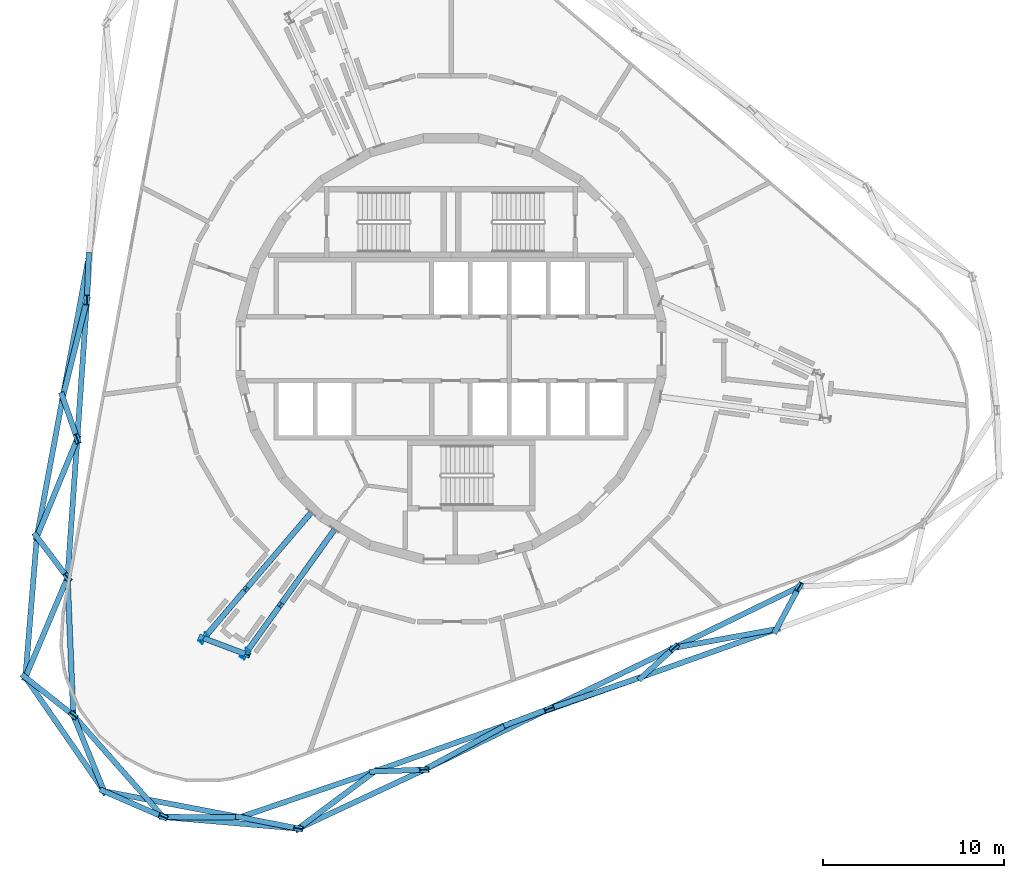
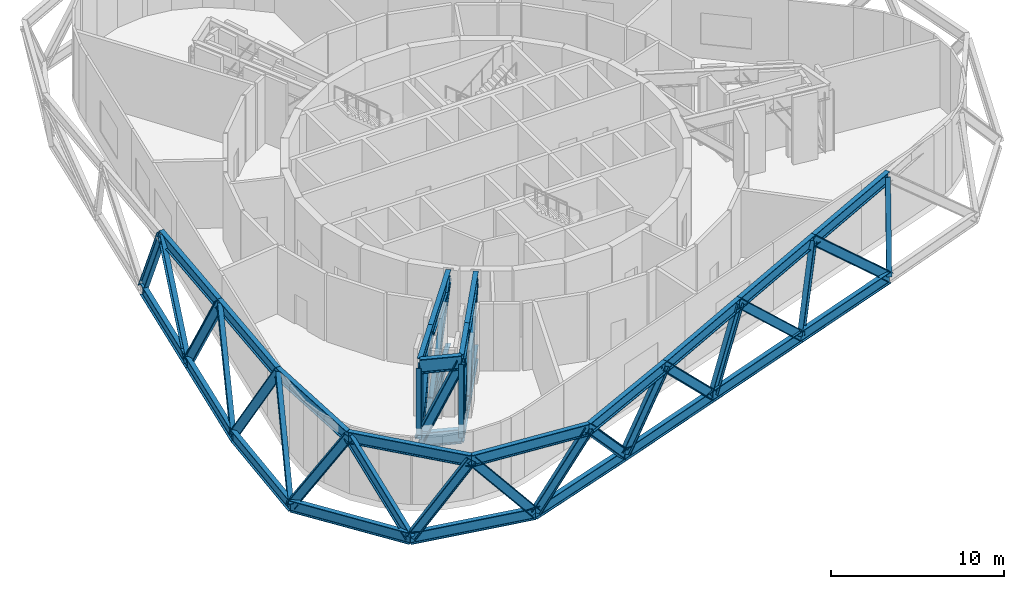
# One storey, part 1 of 12: 54 members.
"""IFC4 building model written with IfcOpenShell, lengths in metres."""

from ifc_helpers import new_model, si_unit, direction, frame, origin, origin_2d, place, context, subcontext, project, spatial, i_section, extrude, material, material_profile, profile_set, type_object, element, save


model = new_model("IFC4")

# Units and contexts
model_context = context("Model", 3, precision=1e-05, world=origin(), true_north=direction((0.0, 1.0)))
body_context = subcontext(model_context, "Body", "Model", "MODEL_VIEW")
ifc_project = project(units=[si_unit("LENGTHUNIT", "METRE"), si_unit("AREAUNIT", "SQUARE_METRE"), si_unit("VOLUMEUNIT", "CUBIC_METRE"), si_unit("PLANEANGLEUNIT", "RADIAN"), si_unit("MASSUNIT", "GRAM", prefix="KILO")], contexts=[model_context])

# Site, building, storey
site_placement = place(None, origin())
site = spatial("IfcSite", under=ifc_project, at=site_placement, CompositionType="ELEMENT")
building_placement = place(site_placement, origin())
building = spatial("IfcBuilding", under=site, at=building_placement, Name="Spindle Arch Residences", CompositionType="ELEMENT")
storey_placement = place(building_placement, frame((0.0, 0.0, 183.199951171875)))
storey = spatial("IfcBuildingStorey", under=building, at=storey_placement, Name="L46", CompositionType="ELEMENT", Elevation=183.199951171875)

# Members
ifc_material_1 = material(Name="Steel S460ML, intumescent coating R 240", Category="steel")
ifc_material_profile_1 = material_profile(ifc_material_1, i_section(OverallWidth=0.302978515625, OverallDepth=0.81396484375, WebThickness=0.02099609375, FlangeThickness=0.0400390625, FilletRadius=0.030029296875, at=origin_2d()), Name="HEM 800")
ifc_profile_set_1 = profile_set([ifc_material_profile_1], Name="Steel S460ML, intumescent coating R 240")
member_type_1 = type_object("IfcMemberType", Name="Belt truss chord HEM 800", PredefinedType="CHORD", material=ifc_profile_set_1)
for number, where, z_axis, x_axis, name in (
    (1, (10.592041015625, -18.1376953125, -0.85693359375), (0.942639442898, 0.333812643101, 0.0), (-0.333812643101, 0.942639442898, 0.0), "Belt truss bottom chord L46.1"),
    (2, (-20.048583984375, 5.048095703125, -0.85693359375), (-0.182262767492, -0.983249858167, 0.0), (0.983249858167, -0.182262767492, 0.0), "Belt truss bottom chord L46.15"),
):
    element("IfcMember", number, at=place(storey_placement, frame(where, z_axis=z_axis, x_axis=x_axis)), inside=storey, type_object=member_type_1, Name=name, PredefinedType="CHORD", context=body_context, shape_type="SweptSolid", body=[
        extrude(i_section(OverallWidth=0.302978515625, OverallDepth=0.81396484375, WebThickness=0.02099609375, FlangeThickness=0.0400390625, FilletRadius=0.030029296875, at=origin_2d()), origin(), (0.0, 0.0, 1.0), 7.860107421875),
    ])
member_1_placement = place(storey_placement, frame((-21.481201171875, -2.680419921875, -0.85693359375), z_axis=(-0.182238304251, -0.983254392547, 0.0), x_axis=(0.983254392547, -0.182238304251, 0.0)))
element("IfcMember", 3, at=member_1_placement, inside=storey, type_object=member_type_1, Name="Belt truss bottom chord L46.16", PredefinedType="CHORD", context=body_context, shape_type="SweptSolid", body=[
    extrude(i_section(OverallWidth=0.302978515625, OverallDepth=0.81396484375, WebThickness=0.02099609375, FlangeThickness=0.0400390625, FilletRadius=0.030029296875, at=origin_2d()), origin(), (0.0, 0.0, 1.0), 7.85986328125),
])
member_2_placement = place(storey_placement, frame((-22.91357421875, -10.40869140625, -0.85693359375), z_axis=(-0.081373439166, -0.996683682719, 0.0), x_axis=(0.996683682719, -0.081373439166, 0.0)))
element("IfcMember", 4, at=member_2_placement, inside=storey, type_object=member_type_1, Name="Belt truss bottom chord L46.17", PredefinedType="CHORD", context=body_context, shape_type="SweptSolid", body=[
    extrude(i_section(OverallWidth=0.302978515625, OverallDepth=0.81396484375, WebThickness=0.02099609375, FlangeThickness=0.0400390625, FilletRadius=0.030029296875, at=origin_2d()), origin(), (0.0, 0.0, 1.0), 7.794677734375),
])
member_3_placement = place(storey_placement, frame((-23.5478515625, -18.177490234375, -0.85693359375), z_axis=(0.56837972253, -0.822766364782, 0.0), x_axis=(0.822766364782, 0.56837972253, 0.0)))
element("IfcMember", 5, at=member_3_placement, inside=storey, type_object=member_type_1, Name="Belt truss bottom chord L46.18", PredefinedType="CHORD", context=body_context, shape_type="SweptSolid", body=[
    extrude(i_section(OverallWidth=0.302978515625, OverallDepth=0.81396484375, WebThickness=0.02099609375, FlangeThickness=0.0400390625, FilletRadius=0.030029296875, at=origin_2d()), origin(), (0.0, 0.0, 1.0), 7.663330078125),
])
member_4_placement = place(storey_placement, frame((-19.192138671875, -24.482666015625, -0.85693359375), z_axis=(0.982375634754, -0.186917394166, 0.0), x_axis=(0.186917394166, 0.982375634754, 0.0)))
element("IfcMember", 6, at=member_4_placement, inside=storey, type_object=member_type_1, Name="Belt truss bottom chord L46.19", PredefinedType="CHORD", context=body_context, shape_type="SweptSolid", body=[
    extrude(i_section(OverallWidth=0.302978515625, OverallDepth=0.81396484375, WebThickness=0.02099609375, FlangeThickness=0.0400390625, FilletRadius=0.030029296875, at=origin_2d()), origin(), (0.0, 0.0, 1.0), 7.6630859375),
])
member_5_placement = place(storey_placement, frame((-11.6640625, -25.9150390625, -0.85693359375), z_axis=(0.946726327311, 0.32203922304, 0.0), x_axis=(-0.32203922304, 0.946726327311, 0.0)))
element("IfcMember", 7, at=member_5_placement, inside=storey, type_object=member_type_1, Name="Belt truss bottom chord L46.20", PredefinedType="CHORD", context=body_context, shape_type="SweptSolid", body=[
    extrude(i_section(OverallWidth=0.302978515625, OverallDepth=0.81396484375, WebThickness=0.02099609375, FlangeThickness=0.0400390625, FilletRadius=0.030029296875, at=origin_2d()), origin(), (0.0, 0.0, 1.0), 7.856201171875),
])
member_6_placement = place(storey_placement, frame((-4.226318359375, -23.385009765625, -0.85693359375), z_axis=(0.942639442898, 0.333812643101, 0.0), x_axis=(-0.333812643101, 0.942639442898, 0.0)))
element("IfcMember", 8, at=member_6_placement, inside=storey, type_object=member_type_1, Name="Belt truss bottom chord L46.21", PredefinedType="CHORD", context=body_context, shape_type="SweptSolid", body=[
    extrude(i_section(OverallWidth=0.302978515625, OverallDepth=0.81396484375, WebThickness=0.02099609375, FlangeThickness=0.0400390625, FilletRadius=0.030029296875, at=origin_2d()), origin(), (0.0, 0.0, 1.0), 7.860107421875),
])
member_7_placement = place(storey_placement, frame((3.182861328125, -20.76123046875, -0.85693359375), z_axis=(0.942649216405, 0.33378504282, 0.0), x_axis=(-0.33378504282, 0.942649216405, 0.0)))
element("IfcMember", 9, at=member_7_placement, inside=storey, type_object=member_type_1, Name="Belt truss bottom chord L46.22", PredefinedType="CHORD", context=body_context, shape_type="SweptSolid", body=[
    extrude(i_section(OverallWidth=0.302978515625, OverallDepth=0.81396484375, WebThickness=0.02099609375, FlangeThickness=0.0400390625, FilletRadius=0.030029296875, at=origin_2d()), origin(), (0.0, 0.0, 1.0), 7.85986328125),
])
for number, where, z_axis, x_axis, name in (
    (10, (12.347900390625, -16.5419921875, 4.343017578125), (0.898794365999, 0.438370491307, 0.0), (-0.438370491307, 0.898794365999, 0.0), "Belt truss top chord L46.1"),
    (11, (-20.141845703125, 2.69384765625, 4.343017578125), (-0.069778919569, -0.997562480441, 0.0), (0.997562480441, -0.069778919569, 0.0), "Belt truss top chord L46.15"),
):
    element("IfcMember", number, at=place(storey_placement, frame(where, z_axis=z_axis, x_axis=x_axis)), inside=storey, type_object=member_type_1, Name=name, PredefinedType="CHORD", context=body_context, shape_type="SweptSolid", body=[
        extrude(i_section(OverallWidth=0.302978515625, OverallDepth=0.81396484375, WebThickness=0.02099609375, FlangeThickness=0.0400390625, FilletRadius=0.030029296875, at=origin_2d()), origin(), (0.0, 0.0, 1.0), 7.69384765625),
    ])
member_8_placement = place(storey_placement, frame((-20.6787109375, -4.981201171875, 4.343017578125), z_axis=(-0.069749549772, -0.997564534407, 0.0), x_axis=(0.997564534407, -0.069749549772, 0.0)))
element("IfcMember", 12, at=member_8_placement, inside=storey, type_object=member_type_1, Name="Belt truss top chord L46.16", PredefinedType="CHORD", context=body_context, shape_type="SweptSolid", body=[
    extrude(i_section(OverallWidth=0.302978515625, OverallDepth=0.81396484375, WebThickness=0.02099609375, FlangeThickness=0.0400390625, FilletRadius=0.030029296875, at=origin_2d()), origin(), (0.0, 0.0, 1.0), 7.693603515625),
])
member_9_placement = place(storey_placement, frame((-21.21533203125, -12.656005859375, 4.343017578125), z_axis=(0.041470703136, -0.99913972035, 0.0), x_axis=(0.99913972035, 0.041470703136, 0.0)))
element("IfcMember", 13, at=member_9_placement, inside=storey, type_object=member_type_1, Name="Belt truss top chord L46.17", PredefinedType="CHORD", context=body_context, shape_type="SweptSolid", body=[
    extrude(i_section(OverallWidth=0.302978515625, OverallDepth=0.81396484375, WebThickness=0.02099609375, FlangeThickness=0.0400390625, FilletRadius=0.030029296875, at=origin_2d()), origin(), (0.0, 0.0, 1.0), 7.623779296875),
])
member_10_placement = place(storey_placement, frame((-20.899169921875, -20.273193359375, 4.343017578125), z_axis=(0.661973185379, -0.749527519067, 0.0), x_axis=(0.749527519067, 0.661973185379, 0.0)))
element("IfcMember", 14, at=member_10_placement, inside=storey, type_object=member_type_1, Name="Belt truss top chord L46.18", PredefinedType="CHORD", context=body_context, shape_type="SweptSolid", body=[
    extrude(i_section(OverallWidth=0.302978515625, OverallDepth=0.81396484375, WebThickness=0.02099609375, FlangeThickness=0.0400390625, FilletRadius=0.030029296875, at=origin_2d()), origin(), (0.0, 0.0, 1.0), 7.50927734375),
])
member_11_placement = place(storey_placement, frame((-15.92822265625, -25.901611328125, 4.343017578125), z_axis=(0.996343091308, -0.08544263808, 0.0), x_axis=(0.08544263808, 0.996343091308, 0.0)))
element("IfcMember", 15, at=member_11_placement, inside=storey, type_object=member_type_1, Name="Belt truss top chord L46.19", PredefinedType="CHORD", context=body_context, shape_type="SweptSolid", body=[
    extrude(i_section(OverallWidth=0.302978515625, OverallDepth=0.81396484375, WebThickness=0.02099609375, FlangeThickness=0.0400390625, FilletRadius=0.030029296875, at=origin_2d()), origin(), (0.0, 0.0, 1.0), 7.509033203125),
])
member_12_placement = place(storey_placement, frame((-8.446533203125, -26.543212890625, 4.343017578125), z_axis=(0.905892479673, 0.423507751136, 0.0), x_axis=(-0.423507751136, 0.905892479673, 0.0)))
element("IfcMember", 16, at=member_12_placement, inside=storey, type_object=member_type_1, Name="Belt truss top chord L46.20", PredefinedType="CHORD", context=body_context, shape_type="SweptSolid", body=[
    extrude(i_section(OverallWidth=0.302978515625, OverallDepth=0.81396484375, WebThickness=0.02099609375, FlangeThickness=0.0400390625, FilletRadius=0.030029296875, at=origin_2d()), origin(), (0.0, 0.0, 1.0), 7.687744140625),
])
member_13_placement = place(storey_placement, frame((-1.482177734375, -23.287353515625, 4.343017578125), z_axis=(0.898794365999, 0.438370491307, 0.0), x_axis=(-0.438370491307, 0.898794365999, 0.0)))
element("IfcMember", 17, at=member_13_placement, inside=storey, type_object=member_type_1, Name="Belt truss top chord L46.21", PredefinedType="CHORD", context=body_context, shape_type="SweptSolid", body=[
    extrude(i_section(OverallWidth=0.302978515625, OverallDepth=0.81396484375, WebThickness=0.02099609375, FlangeThickness=0.0400390625, FilletRadius=0.030029296875, at=origin_2d()), origin(), (0.0, 0.0, 1.0), 7.69384765625),
])
member_14_placement = place(storey_placement, frame((5.43310546875, -19.91455078125, 4.343017578125), z_axis=(0.898794672786, 0.438369862298, 0.0), x_axis=(-0.438369862298, 0.898794672786, 0.0)))
element("IfcMember", 18, at=member_14_placement, inside=storey, type_object=member_type_1, Name="Belt truss top chord L46.22", PredefinedType="CHORD", context=body_context, shape_type="SweptSolid", body=[
    extrude(i_section(OverallWidth=0.302978515625, OverallDepth=0.81396484375, WebThickness=0.02099609375, FlangeThickness=0.0400390625, FilletRadius=0.030029296875, at=origin_2d()), origin(), (0.0, 0.0, 1.0), 7.693359375),
])
ifc_material_2 = material(Name="Steel S460ML, intumescent coating R 240", Category="steel")
ifc_material_profile_2 = material_profile(ifc_material_2, i_section(OverallWidth=0.304931640625, OverallDepth=0.6201171875, WebThickness=0.02099609375, FlangeThickness=0.0400390625, FilletRadius=0.027099609375, at=origin_2d()), Name="HEM 600")
ifc_profile_set_2 = profile_set([ifc_material_profile_2], Name="Steel S460ML, intumescent coating R 240")
member_type_2 = type_object("IfcMemberType", Name="Belt truss diagonal HEM 600", PredefinedType="BRACE", material=ifc_profile_set_2)
member_15_placement = place(storey_placement, frame((10.592041015625, -18.1376953125, -0.85693359375), z_axis=(0.307201350861, 0.27918076046, 0.909772187428), x_axis=(-0.672549864277, 0.740051809039, 0.0)))
element("IfcMember", 19, at=member_15_placement, inside=storey, type_object=member_type_2, Name="Belt truss diagonal L46.1.1", PredefinedType="BRACE", context=body_context, shape_type="SweptSolid", body=[
    extrude(i_section(OverallWidth=0.304931640625, OverallDepth=0.6201171875, WebThickness=0.02099609375, FlangeThickness=0.0400390625, FilletRadius=0.027099609375, at=origin_2d()), origin(), (0.0, 0.0, 1.0), 5.715576171875),
])
member_16_placement = place(storey_placement, frame((18.001220703125, -15.513916015625, -0.85693359375), z_axis=(-0.729497345821, -0.13266165673, 0.670995161886), x_axis=(0.17891908899, -0.98386379118, 0.0)))
element("IfcMember", 20, at=member_16_placement, inside=storey, type_object=member_type_2, Name="Belt truss diagonal L46.1.2", PredefinedType="BRACE", context=body_context, shape_type="SweptSolid", body=[
    extrude(i_section(OverallWidth=0.304931640625, OverallDepth=0.6201171875, WebThickness=0.02099609375, FlangeThickness=0.0400390625, FilletRadius=0.027099609375, at=origin_2d()), origin(), (0.0, 0.0, 1.0), 7.74951171875),
])
member_17_placement = place(storey_placement, frame((18.001220703125, -15.513916015625, -0.85693359375), z_axis=(0.216012959397, 0.401351994979, 0.890087061752), x_axis=(-0.880562350067, 0.473930319398, 0.0)))
element("IfcMember", 21, at=member_17_placement, inside=storey, type_object=member_type_2, Name="Belt truss diagonal L46.2.2", PredefinedType="BRACE", context=body_context, shape_type="SweptSolid", body=[
    extrude(i_section(OverallWidth=0.304931640625, OverallDepth=0.6201171875, WebThickness=0.02099609375, FlangeThickness=0.0400390625, FilletRadius=0.027099609375, at=origin_2d()), origin(), (0.0, 0.0, 1.0), 5.842041015625),
])
member_18_placement = place(storey_placement, frame((-20.048583984375, 5.048095703125, -0.85693359375), z_axis=(-0.01633641454, -0.412387553428, 0.910862024314), x_axis=(0.999216278765, -0.039583181426, 0.0)))
element("IfcMember", 22, at=member_18_placement, inside=storey, type_object=member_type_2, Name="Belt truss diagonal L46.15.15", PredefinedType="BRACE", context=body_context, shape_type="SweptSolid", body=[
    extrude(i_section(OverallWidth=0.304931640625, OverallDepth=0.6201171875, WebThickness=0.02099609375, FlangeThickness=0.0400390625, FilletRadius=0.027099609375, at=origin_2d()), origin(), (0.0, 0.0, 1.0), 5.708740234375),
])
member_19_placement = place(storey_placement, frame((-21.481201171875, -2.680419921875, -0.85693359375), z_axis=(0.176297966, 0.707409246364, 0.684464159283), x_axis=(-0.97032114694, 0.241819916055, 0.0)))
element("IfcMember", 23, at=member_19_placement, inside=storey, type_object=member_type_2, Name="Belt truss diagonal L46.15.16", PredefinedType="BRACE", context=body_context, shape_type="SweptSolid", body=[
    extrude(i_section(OverallWidth=0.304931640625, OverallDepth=0.6201171875, WebThickness=0.02099609375, FlangeThickness=0.0400390625, FilletRadius=0.027099609375, at=origin_2d()), origin(), (0.0, 0.0, 1.0), 7.59716796875),
])
member_20_placement = place(storey_placement, frame((-21.481201171875, -2.680419921875, -0.85693359375), z_axis=(0.13974416278, -0.400653784616, 0.905509864022), x_axis=(0.944213948633, 0.329332687729, 0.0)))
element("IfcMember", 24, at=member_20_placement, inside=storey, type_object=member_type_2, Name="Belt truss diagonal L46.16.16", PredefinedType="BRACE", context=body_context, shape_type="SweptSolid", body=[
    extrude(i_section(OverallWidth=0.304931640625, OverallDepth=0.6201171875, WebThickness=0.02099609375, FlangeThickness=0.0400390625, FilletRadius=0.027099609375, at=origin_2d()), origin(), (0.0, 0.0, 1.0), 5.74267578125),
])
member_21_placement = place(storey_placement, frame((-22.91357421875, -10.40869140625, -0.85693359375), z_axis=(0.284998458748, 0.692134666421, 0.663118000095), x_axis=(-0.924677237057, 0.380751897262, 0.0)))
element("IfcMember", 25, at=member_21_placement, inside=storey, type_object=member_type_2, Name="Belt truss diagonal L46.16.17", PredefinedType="BRACE", context=body_context, shape_type="SweptSolid", body=[
    extrude(i_section(OverallWidth=0.304931640625, OverallDepth=0.6201171875, WebThickness=0.02099609375, FlangeThickness=0.0400390625, FilletRadius=0.027099609375, at=origin_2d()), origin(), (0.0, 0.0, 1.0), 7.841552734375),
])
member_22_placement = place(storey_placement, frame((-22.91357421875, -10.40869140625, -0.85693359375), z_axis=(0.287162244399, -0.380006966603, 0.879279563464), x_axis=(0.79782100174, 0.602894393059, 0.0)))
element("IfcMember", 26, at=member_22_placement, inside=storey, type_object=member_type_2, Name="Belt truss diagonal L46.17.17", PredefinedType="BRACE", context=body_context, shape_type="SweptSolid", body=[
    extrude(i_section(OverallWidth=0.304931640625, OverallDepth=0.6201171875, WebThickness=0.02099609375, FlangeThickness=0.0400390625, FilletRadius=0.027099609375, at=origin_2d()), origin(), (0.0, 0.0, 1.0), 5.913818359375),
])
member_23_placement = place(storey_placement, frame((-23.5478515625, -18.177490234375, -0.85693359375), z_axis=(0.293946999755, 0.695824298352, 0.65530428593), x_axis=(-0.921176242595, 0.389145641217, 0.0)))
element("IfcMember", 27, at=member_23_placement, inside=storey, type_object=member_type_2, Name="Belt truss diagonal L46.17.18", PredefinedType="BRACE", context=body_context, shape_type="SweptSolid", body=[
    extrude(i_section(OverallWidth=0.304931640625, OverallDepth=0.6201171875, WebThickness=0.02099609375, FlangeThickness=0.0400390625, FilletRadius=0.027099609375, at=origin_2d()), origin(), (0.0, 0.0, 1.0), 7.93505859375),
])
member_24_placement = place(storey_placement, frame((-23.5478515625, -18.177490234375, -0.85693359375), z_axis=(0.42716794499, -0.33798595629, 0.838625685347), x_axis=(0.620490002403, 0.784214356485, 0.0)))
element("IfcMember", 28, at=member_24_placement, inside=storey, type_object=member_type_2, Name="Belt truss diagonal L46.18.18", PredefinedType="BRACE", context=body_context, shape_type="SweptSolid", body=[
    extrude(i_section(OverallWidth=0.304931640625, OverallDepth=0.6201171875, WebThickness=0.02099609375, FlangeThickness=0.0400390625, FilletRadius=0.027099609375, at=origin_2d()), origin(), (0.0, 0.0, 1.0), 6.20068359375),
])
member_25_placement = place(storey_placement, frame((-19.192138671875, -24.482666015625, -0.85693359375), z_axis=(-0.247232032315, 0.609664573967, 0.753117141916), x_axis=(-0.92670183645, -0.375797427239, 0.0)))
element("IfcMember", 29, at=member_25_placement, inside=storey, type_object=member_type_2, Name="Belt truss diagonal L46.18.19", PredefinedType="BRACE", context=body_context, shape_type="SweptSolid", body=[
    extrude(i_section(OverallWidth=0.304931640625, OverallDepth=0.6201171875, WebThickness=0.02099609375, FlangeThickness=0.0400390625, FilletRadius=0.027099609375, at=origin_2d()), origin(), (0.0, 0.0, 1.0), 6.904541015625),
])
member_26_placement = place(storey_placement, frame((-19.192138671875, -24.482666015625, -0.85693359375), z_axis=(0.517977214733, -0.225183900967, 0.825222282638), x_axis=(0.398690994232, 0.917085323794, 0.0)))
element("IfcMember", 30, at=member_26_placement, inside=storey, type_object=member_type_2, Name="Belt truss diagonal L46.19.19", PredefinedType="BRACE", context=body_context, shape_type="SweptSolid", body=[
    extrude(i_section(OverallWidth=0.304931640625, OverallDepth=0.6201171875, WebThickness=0.02099609375, FlangeThickness=0.0400390625, FilletRadius=0.027099609375, at=origin_2d()), origin(), (0.0, 0.0, 1.0), 6.30126953125),
])
member_27_placement = place(storey_placement, frame((-11.6640625, -25.9150390625, -0.85693359375), z_axis=(-0.634096124622, 0.00199675294, 0.773251652257), x_axis=(-0.003148959539, -0.999995042015, 0.0)))
element("IfcMember", 31, at=member_27_placement, inside=storey, type_object=member_type_2, Name="Belt truss diagonal L46.19.20", PredefinedType="BRACE", context=body_context, shape_type="SweptSolid", body=[
    extrude(i_section(OverallWidth=0.304931640625, OverallDepth=0.6201171875, WebThickness=0.02099609375, FlangeThickness=0.0400390625, FilletRadius=0.027099609375, at=origin_2d()), origin(), (0.0, 0.0, 1.0), 6.724853515625),
])
member_28_placement = place(storey_placement, frame((-11.6640625, -25.9150390625, -0.85693359375), z_axis=(0.523424037624, -0.102190609971, 0.845922192682), x_axis=(0.19161709473, 0.981469759599, 0.0)))
element("IfcMember", 32, at=member_28_placement, inside=storey, type_object=member_type_2, Name="Belt truss diagonal L46.20.20", PredefinedType="BRACE", context=body_context, shape_type="SweptSolid", body=[
    extrude(i_section(OverallWidth=0.304931640625, OverallDepth=0.6201171875, WebThickness=0.02099609375, FlangeThickness=0.0400390625, FilletRadius=0.027099609375, at=origin_2d()), origin(), (0.0, 0.0, 1.0), 6.14697265625),
])
member_29_placement = place(storey_placement, frame((-4.226318359375, -23.385009765625, -0.85693359375), z_axis=(-0.569966577232, -0.426535210174, 0.702286134934), x_axis=(0.599154845995, -0.800633168512, 0.0)))
element("IfcMember", 33, at=member_29_placement, inside=storey, type_object=member_type_2, Name="Belt truss diagonal L46.20.21", PredefinedType="BRACE", context=body_context, shape_type="SweptSolid", body=[
    extrude(i_section(OverallWidth=0.304931640625, OverallDepth=0.6201171875, WebThickness=0.02099609375, FlangeThickness=0.0400390625, FilletRadius=0.027099609375, at=origin_2d()), origin(), (0.0, 0.0, 1.0), 7.404296875),
])
member_30_placement = place(storey_placement, frame((-4.226318359375, -23.385009765625, -0.85693359375), z_axis=(0.466657267863, 0.016607020209, 0.884282308559), x_axis=(-0.035564675332, 0.999367376828, 0.0)))
element("IfcMember", 34, at=member_30_placement, inside=storey, type_object=member_type_2, Name="Belt truss diagonal L46.21.21", PredefinedType="BRACE", context=body_context, shape_type="SweptSolid", body=[
    extrude(i_section(OverallWidth=0.304931640625, OverallDepth=0.6201171875, WebThickness=0.02099609375, FlangeThickness=0.0400390625, FilletRadius=0.027099609375, at=origin_2d()), origin(), (0.0, 0.0, 1.0), 5.88037109375),
])
member_31_placement = place(storey_placement, frame((3.182861328125, -20.76123046875, -0.85693359375), z_axis=(-0.627987701506, -0.340055931939, 0.699995292777), x_axis=(0.476170472483, -0.879352990065, 0.0)))
element("IfcMember", 35, at=member_31_placement, inside=storey, type_object=member_type_2, Name="Belt truss diagonal L46.21.22", PredefinedType="BRACE", context=body_context, shape_type="SweptSolid", body=[
    extrude(i_section(OverallWidth=0.304931640625, OverallDepth=0.6201171875, WebThickness=0.02099609375, FlangeThickness=0.0400390625, FilletRadius=0.027099609375, at=origin_2d()), origin(), (0.0, 0.0, 1.0), 7.428466796875),
])
member_32_placement = place(storey_placement, frame((3.182861328125, -20.76123046875, -0.85693359375), z_axis=(0.392790190458, 0.147791730553, 0.907674760396), x_axis=(-0.35215815176, 0.935940508873, 0.0)))
element("IfcMember", 36, at=member_32_placement, inside=storey, type_object=member_type_2, Name="Belt truss diagonal L46.22.22", PredefinedType="BRACE", context=body_context, shape_type="SweptSolid", body=[
    extrude(i_section(OverallWidth=0.304931640625, OverallDepth=0.6201171875, WebThickness=0.02099609375, FlangeThickness=0.0400390625, FilletRadius=0.027099609375, at=origin_2d()), origin(), (0.0, 0.0, 1.0), 5.728759765625),
])
member_33_placement = place(storey_placement, frame((10.592041015625, -18.1376953125, -0.85693359375), z_axis=(-0.684451451005, -0.23574074395, 0.689893116982), x_axis=(0.325648684649, -0.945490842995, 0.0)))
element("IfcMember", 37, at=member_33_placement, inside=storey, type_object=member_type_2, Name="Belt truss diagonal L46.22.1", PredefinedType="BRACE", context=body_context, shape_type="SweptSolid", body=[
    extrude(i_section(OverallWidth=0.304931640625, OverallDepth=0.6201171875, WebThickness=0.02099609375, FlangeThickness=0.0400390625, FilletRadius=0.027099609375, at=origin_2d()), origin(), (0.0, 0.0, 1.0), 7.537353515625),
])
ifc_material_3 = material(Name="Steel S460ML, intumescent coating R 240", Category="steel")
ifc_material_profile_3 = material_profile(ifc_material_3, i_section(OverallWidth=0.302001953125, OverallDepth=1.008056640625, WebThickness=0.02099609375, FlangeThickness=0.0400390625, FilletRadius=0.030029296875, at=origin_2d()), Name="HEM 1000")
ifc_profile_set_3 = profile_set([ifc_material_profile_3], Name="Steel S460ML, intumescent coating R 240")
member_type_3 = type_object("IfcMemberType", Name="Transfer truss chord HEM 1000", PredefinedType="CHORD", material=ifc_profile_set_3)
for number, where, z_axis, x_axis, name in (
    (38, (-7.75048828125, -9.07470703125, -0.953857421875), (-0.649451568753, -0.76040295886, 0.0), (0.76040295886, -0.649451568753, 0.0), "Transfer truss chord L46"),
    (39, (-7.75048828125, -9.07470703125, 4.24609375), (-0.649451568753, -0.76040295886, 0.0), (0.76040295886, -0.649451568753, 0.0), "Transfer truss chord L46"),
):
    element("IfcMember", number, at=place(storey_placement, frame(where, z_axis=z_axis, x_axis=x_axis)), inside=storey, type_object=member_type_3, Name=name, PredefinedType="CHORD", context=body_context, shape_type="SweptSolid", body=[
        extrude(i_section(OverallWidth=0.302001953125, OverallDepth=1.008056640625, WebThickness=0.02099609375, FlangeThickness=0.0400390625, FilletRadius=0.030029296875, at=origin_2d()), origin(), (0.0, 0.0, 1.0), 5.66162109375),
    ])
for number, where, z_axis, x_axis, name in (
    (40, (-11.427490234375, -13.3798828125, -0.953857421875), (-0.649451951704, -0.760402631786, 0.0), (0.760402631786, -0.649451951704, 0.0), "Transfer truss chord L46"),
    (41, (-11.427490234375, -13.3798828125, 4.24609375), (-0.649451951704, -0.760402631786, 0.0), (0.760402631786, -0.649451951704, 0.0), "Transfer truss chord L46"),
):
    element("IfcMember", number, at=place(storey_placement, frame(where, z_axis=z_axis, x_axis=x_axis)), inside=storey, type_object=member_type_3, Name=name, PredefinedType="CHORD", context=body_context, shape_type="SweptSolid", body=[
        extrude(i_section(OverallWidth=0.302001953125, OverallDepth=1.008056640625, WebThickness=0.02099609375, FlangeThickness=0.0400390625, FilletRadius=0.030029296875, at=origin_2d()), origin(), (0.0, 0.0, 1.0), 3.47021484375),
    ])
for number, where, z_axis, x_axis, name in (
    (42, (-13.68115234375, -16.0185546875, -0.953857421875), (0.936144895312, -0.351614469242, 0.0), (0.351614469242, 0.936144895312, 0.0), "Transfer truss chord L46"),
    (43, (-13.68115234375, -16.0185546875, 4.24609375), (0.936144895312, -0.351614469242, 0.0), (0.351614469242, 0.936144895312, 0.0), "Transfer truss chord L46"),
):
    element("IfcMember", number, at=place(storey_placement, frame(where, z_axis=z_axis, x_axis=x_axis)), inside=storey, type_object=member_type_3, Name=name, PredefinedType="CHORD", context=body_context, shape_type="SweptSolid", body=[
        extrude(i_section(OverallWidth=0.302001953125, OverallDepth=1.008056640625, WebThickness=0.02099609375, FlangeThickness=0.0400390625, FilletRadius=0.030029296875, at=origin_2d()), origin(), (0.0, 0.0, 1.0), 2.45166015625),
    ])
for number, where, z_axis, x_axis, name in (
    (44, (-6.45263671875, -10.012451171875, -0.953857421875), (-0.583399017247, -0.81218568485, 0.0), (0.81218568485, -0.583399017247, 0.0), "Transfer truss chord L46"),
    (45, (-6.45263671875, -10.012451171875, 4.24609375), (-0.583399017247, -0.81218568485, 0.0), (0.81218568485, -0.583399017247, 0.0), "Transfer truss chord L46"),
):
    element("IfcMember", number, at=place(storey_placement, frame(where, z_axis=z_axis, x_axis=x_axis)), inside=storey, type_object=member_type_3, Name=name, PredefinedType="CHORD", context=body_context, shape_type="SweptSolid", body=[
        extrude(i_section(OverallWidth=0.302001953125, OverallDepth=1.008056640625, WebThickness=0.02099609375, FlangeThickness=0.0400390625, FilletRadius=0.030029296875, at=origin_2d()), origin(), (0.0, 0.0, 1.0), 5.24267578125),
    ])
for number, where, z_axis, x_axis, name in (
    (46, (-9.51123046875, -14.2705078125, -0.953857421875), (-0.583377728596, -0.812200976223, 0.0), (0.812200976223, -0.583377728596, 0.0), "Transfer truss chord L46"),
    (47, (-9.51123046875, -14.2705078125, 4.24609375), (-0.583377728596, -0.812200976223, 0.0), (0.812200976223, -0.583377728596, 0.0), "Transfer truss chord L46"),
):
    element("IfcMember", number, at=place(storey_placement, frame(where, z_axis=z_axis, x_axis=x_axis)), inside=storey, type_object=member_type_3, Name=name, PredefinedType="CHORD", context=body_context, shape_type="SweptSolid", body=[
        extrude(i_section(OverallWidth=0.302001953125, OverallDepth=1.008056640625, WebThickness=0.02099609375, FlangeThickness=0.0400390625, FilletRadius=0.030029296875, at=origin_2d()), origin(), (0.0, 0.0, 1.0), 3.213623046875),
    ])
ifc_material_4 = material(Name="Steel S460ML, intumescent coating R 240", Category="steel")
ifc_material_profile_4 = material_profile(ifc_material_4, i_section(OverallWidth=0.304931640625, OverallDepth=0.6201171875, WebThickness=0.02099609375, FlangeThickness=0.0400390625, FilletRadius=0.027099609375, at=origin_2d()), Name="HEM 600")
ifc_profile_set_4 = profile_set([ifc_material_profile_4], Name="Steel S460ML, intumescent coating R 240")
member_type_4 = type_object("IfcMemberType", Name="Transfer truss diagonal HEM 600", PredefinedType="BRACE", material=ifc_profile_set_4)
member_34_placement = place(storey_placement, frame((-11.427490234375, -13.3798828125, -0.953857421875), z_axis=(0.478322479972, 0.560038417889, 0.676435196927), x_axis=(-0.76040295886, 0.649451568753, 0.0)))
element("IfcMember", 48, at=member_34_placement, inside=storey, type_object=member_type_4, Name="Transfer truss diagonal L46", PredefinedType="BRACE", context=body_context, shape_type="SweptSolid", body=[
    extrude(i_section(OverallWidth=0.304931640625, OverallDepth=0.6201171875, WebThickness=0.02099609375, FlangeThickness=0.0400390625, FilletRadius=0.027099609375, at=origin_2d()), origin(), (0.0, 0.0, 1.0), 7.687255859375),
])
member_35_placement = place(storey_placement, frame((-13.68115234375, -16.0185546875, -0.953857421875), z_axis=(0.360500238117, 0.422087159957, 0.831794450401), x_axis=(-0.760402631786, 0.649451951704, 0.0)))
element("IfcMember", 49, at=member_35_placement, inside=storey, type_object=member_type_4, Name="Transfer truss diagonal L46", PredefinedType="BRACE", context=body_context, shape_type="SweptSolid", body=[
    extrude(i_section(OverallWidth=0.304931640625, OverallDepth=0.6201171875, WebThickness=0.02099609375, FlangeThickness=0.0400390625, FilletRadius=0.027099609375, at=origin_2d()), origin(), (0.0, 0.0, 1.0), 6.25146484375),
])
member_36_placement = place(storey_placement, frame((-13.68115234375, -16.0185546875, -0.953857421875), z_axis=(0.399232201199, -0.149950952285, 0.904504483922), x_axis=(0.351614469242, 0.936144895312, 0.0)))
element("IfcMember", 50, at=member_36_placement, inside=storey, type_object=member_type_4, Name="Transfer truss diagonal L46", PredefinedType="BRACE", context=body_context, shape_type="SweptSolid", body=[
    extrude(i_section(OverallWidth=0.304931640625, OverallDepth=0.6201171875, WebThickness=0.02099609375, FlangeThickness=0.0400390625, FilletRadius=0.027099609375, at=origin_2d()), origin(), (0.0, 0.0, 1.0), 5.7490234375),
])
member_37_placement = place(storey_placement, frame((-9.51123046875, -14.2705078125, -0.953857421875), z_axis=(0.414211194395, 0.576648901775, 0.70420531844), x_axis=(-0.81218568485, 0.583399017247, 0.0)))
element("IfcMember", 51, at=member_37_placement, inside=storey, type_object=member_type_4, Name="Transfer truss diagonal L46", PredefinedType="BRACE", context=body_context, shape_type="SweptSolid", body=[
    extrude(i_section(OverallWidth=0.304931640625, OverallDepth=0.6201171875, WebThickness=0.02099609375, FlangeThickness=0.0400390625, FilletRadius=0.027099609375, at=origin_2d()), origin(), (0.0, 0.0, 1.0), 7.384033203125),
])
member_38_placement = place(storey_placement, frame((-11.385986328125, -16.880615234375, -0.953857421875), z_axis=(0.30669126214, 0.426987405071, 0.850659876589), x_axis=(-0.812200976223, 0.583377728596, 0.0)))
element("IfcMember", 52, at=member_38_placement, inside=storey, type_object=member_type_4, Name="Transfer truss diagonal L46", PredefinedType="BRACE", context=body_context, shape_type="SweptSolid", body=[
    extrude(i_section(OverallWidth=0.304931640625, OverallDepth=0.6201171875, WebThickness=0.02099609375, FlangeThickness=0.0400390625, FilletRadius=0.027099609375, at=origin_2d()), origin(), (0.0, 0.0, 1.0), 6.11279296875),
])
ifc_material_5 = material(Name="Steel S460ML, intumescent coating R 240", Category="steel")
ifc_material_profile_5 = material_profile(ifc_material_5, i_section(OverallWidth=0.300048828125, OverallDepth=0.60009765625, WebThickness=0.015380859375, FlangeThickness=0.030029296875, FilletRadius=0.027099609375, at=origin_2d()), Name="HEB 600")
ifc_profile_set_5 = profile_set([ifc_material_profile_5], Name="Steel S460ML, intumescent coating R 240")
member_type_5 = type_object("IfcMemberType", Name="Transfer truss post HEB 600", PredefinedType="POST", material=ifc_profile_set_5)
member_39_placement = place(storey_placement, frame((-13.68115234375, -16.0185546875, -0.449951171875), z_axis=(0.0, 0.0, 1.0), x_axis=(-0.760405423322, 0.649448683256, 0.0)))
element("IfcMember", 53, at=member_39_placement, inside=storey, type_object=member_type_5, Name="Transfer truss post L46", PredefinedType="POST", context=body_context, shape_type="SweptSolid", body=[
    extrude(i_section(OverallWidth=0.300048828125, OverallDepth=0.60009765625, WebThickness=0.015380859375, FlangeThickness=0.030029296875, FilletRadius=0.027099609375, at=origin_2d()), origin(), (0.0, 0.0, 1.0), 4.696044921875),
])
member_40_placement = place(storey_placement, frame((-11.385986328125, -16.880615234375, -0.953857421875), z_axis=(0.0, 0.0, 1.0), x_axis=(-0.812186308299, 0.583398149305, 0.0)))
element("IfcMember", 54, at=member_40_placement, inside=storey, type_object=member_type_5, Name="Transfer truss post L46", PredefinedType="POST", context=body_context, shape_type="SweptSolid", body=[
    extrude(i_section(OverallWidth=0.300048828125, OverallDepth=0.60009765625, WebThickness=0.015380859375, FlangeThickness=0.030029296875, FilletRadius=0.027099609375, at=origin_2d()), origin(), (0.0, 0.0, 1.0), 5.199951171875),
])

save(model, "model.ifc")
